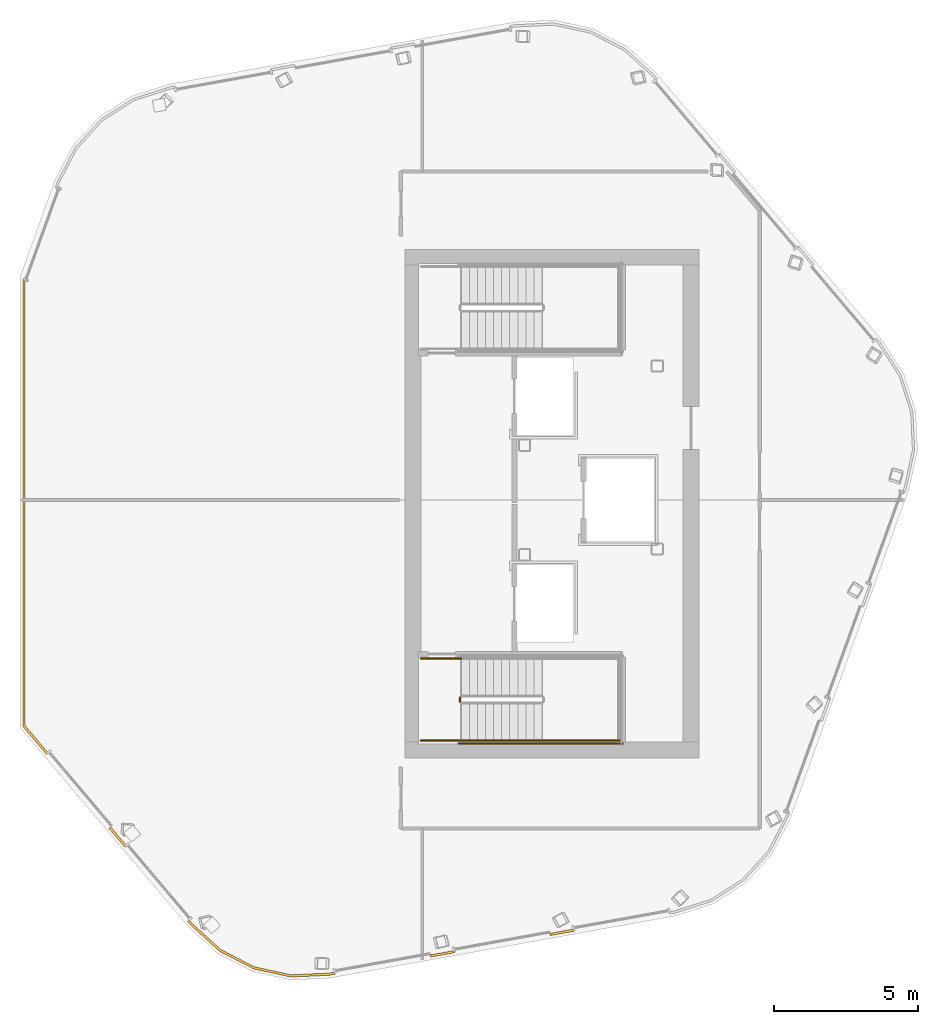
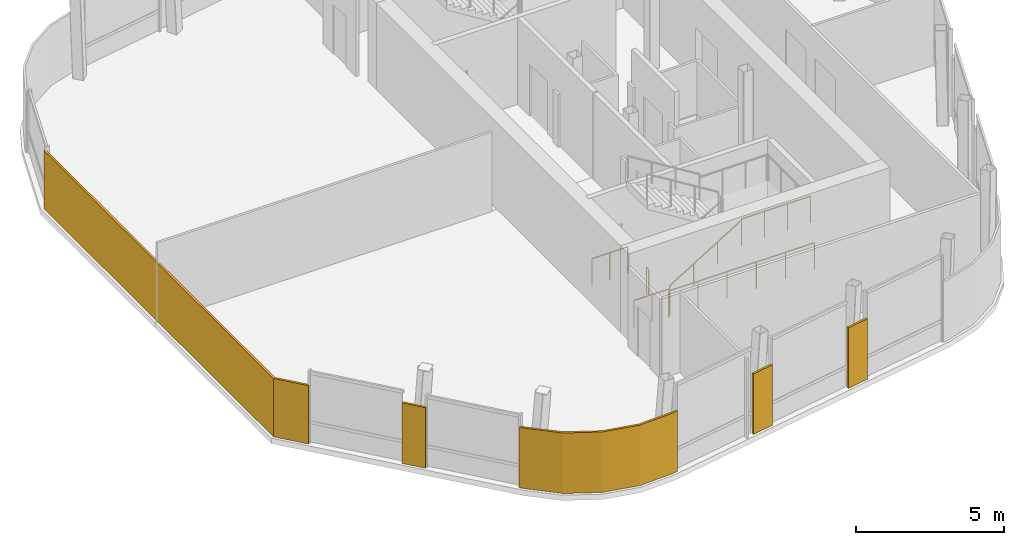
# One storey, part 6 of 8: 6 railings, 5 coverings.
"""IFC4 building model written with IfcOpenShell, lengths in metres."""

from ifc_helpers import new_model, si_unit, direction, frame, origin, origin_2d, place, context, subcontext, project, spatial, polyline, circle, outline, extrude, material, layer, layer_set, type_object, element, save


model = new_model("IFC4")

# Units and contexts
model_context = context("Model", 3, precision=1e-05, world=origin(), true_north=direction((0.0, 1.0)))
body_context = subcontext(model_context, "Body", "Model", "MODEL_VIEW")
ifc_project = project(units=[si_unit("LENGTHUNIT", "METRE"), si_unit("AREAUNIT", "SQUARE_METRE"), si_unit("VOLUMEUNIT", "CUBIC_METRE"), si_unit("PLANEANGLEUNIT", "RADIAN"), si_unit("MASSUNIT", "GRAM", prefix="KILO")], contexts=[model_context])

# Site, building, storey
site_placement = place(None, origin())
site = spatial("IfcSite", under=ifc_project, at=site_placement, CompositionType="ELEMENT")
building_placement = place(site_placement, origin())
building = spatial("IfcBuilding", under=site, at=building_placement, Name="Valkerne Bourse Tower", CompositionType="ELEMENT")
storey_placement = place(building_placement, frame((0.0, 0.0, 326.800048828125)))
storey = spatial("IfcBuildingStorey", under=building, at=storey_placement, Name="L83", CompositionType="ELEMENT", Elevation=326.800048828125)

# Coverings
ifc_material_1 = material(Name="Bronze Anodised Aluminium AA 6063-T6", Category="aluminium")
ifc_layer = layer(ifc_material_1, 0.06005859375)
ifc_layer_set = layer_set([ifc_layer], Name="Bronze Anodised Aluminium AA 6063-T6")
covering_type = type_object("IfcCoveringType", Name="COV-CRN-ALUM", PredefinedType="CLADDING", material=ifc_layer_set)
covering_1_placement = place(storey_placement, origin())
element("IfcCovering", 1, at=covering_1_placement, inside=storey, type_object=covering_type, Name="L83 Wind-Shaped Corner Aluminium Cladding 11", PredefinedType="CLADDING", context=body_context, shape_type="SweptSolid", body=[
    extrude(outline(polyline([(51.23291015625, 11.884521484375), (51.218505859375, 11.963134765625), (52.04541015625, 12.11181640625), (52.0595703125, 12.033203125), (51.23291015625, 11.884521484375)])), origin(), (0.0, 0.0, 1.0), 2.5),
])
covering_2_placement = place(storey_placement, origin())
element("IfcCovering", 2, at=covering_2_placement, inside=storey, type_object=covering_type, Name="L83 Wind-Shaped Corner Aluminium Cladding 12", PredefinedType="CLADDING", context=body_context, shape_type="SweptSolid", body=[
    extrude(outline(polyline([(47.08740234375, 11.138427734375), (47.0732421875, 11.21728515625), (47.89990234375, 11.365966796875), (47.914306640625, 11.287353515625), (47.08740234375, 11.138427734375)])), origin(), (0.0, 0.0, 1.0), 2.5),
])
covering_3_placement = place(storey_placement, origin())
element("IfcCovering", 3, at=covering_3_placement, inside=storey, type_object=covering_type, Name="L83 Wind-Shaped Corner Aluminium Cladding 13", PredefinedType="CLADDING", context=body_context, shape_type="SweptSolid", body=[
    extrude(outline(polyline([(43.578369140625, 10.507080078125), (42.2421875, 10.444091796875), (40.941650390625, 10.727783203125), (39.7587890625, 11.33837890625), (38.769287109375, 12.23876953125), (38.644775390625, 12.38623046875), (38.705810546875, 12.437744140625), (38.8271484375, 12.294189453125), (39.8046875, 11.404541015625), (40.968994140625, 10.8037109375), (42.2490234375, 10.524658203125), (43.5693359375, 10.5869140625), (43.75439453125, 10.6201171875), (43.768798828125, 10.54150390625), (43.578369140625, 10.507080078125)])), origin(), (0.0, 0.0, 1.0), 2.5),
])
covering_4_placement = place(storey_placement, origin())
element("IfcCovering", 4, at=covering_4_placement, inside=storey, type_object=covering_type, Name="L83 Wind-Shaped Corner Aluminium Cladding 14", PredefinedType="CLADDING", context=body_context, shape_type="SweptSolid", body=[
    extrude(outline(polyline([(35.926025390625, 15.603271484375), (35.987060546875, 15.65478515625), (36.529296875, 15.013427734375), (36.468017578125, 14.9619140625), (35.926025390625, 15.603271484375)])), origin(), (0.0, 0.0, 1.0), 2.5),
])
covering_5_placement = place(storey_placement, origin())
element("IfcCovering", 5, at=covering_5_placement, inside=storey, type_object=covering_type, Name="L83 Wind-Shaped Corner Aluminium Cladding 15", PredefinedType="CLADDING", context=body_context, shape_type="SweptSolid", body=[
    extrude(outline(polyline([(32.93701171875, 19.14013671875), (32.93701171875, 34.67578125), (33.01708984375, 34.64697265625), (33.01708984375, 19.16943359375), (33.810546875, 18.23046875), (33.74951171875, 18.178955078125), (32.93701171875, 19.14013671875)])), origin(), (0.0, 0.0, 1.0), 2.412353515625),
])

# Railings
ifc_material_2 = material(Name="Galvanised Painted Steel", Category="steel")
railing_type_1 = type_object("IfcRailingType", Name="RLG-ST-GUARD-1120", PredefinedType="GUARDRAIL", material=ifc_material_2)
railing_1_placement = place(storey_placement, frame((50.949951171875, 18.64990234375, 1.89990234375)))
element("IfcRailing", 6, at=railing_1_placement, inside=storey, type_object=railing_type_1, Name="L83 ST-1 stair guard 3", PredefinedType="GUARDRAIL", context=body_context, shape_type="SweptSolid", body=[
    extrude(circle(Radius=0.02392578125, at=origin_2d()), frame((0.0, 0.0, 1.09619140625), z_axis=(1.0, 0.0, 0.0), x_axis=(0.0, 1.0, 0.0)), (0.0, 0.0, 1.0), 2.699951171875),
    extrude(circle(Radius=0.02099609375, at=origin_2d()), origin(), (0.0, 0.0, 1.0), 1.072021484375),
    extrude(circle(Radius=0.02099609375, at=origin_2d()), frame((0.89990234375, 0.0, 0.0)), (0.0, 0.0, 1.0), 1.072021484375),
    extrude(circle(Radius=0.02099609375, at=origin_2d()), frame((1.800048828125, 0.0, 0.0)), (0.0, 0.0, 1.0), 1.072021484375),
    extrude(circle(Radius=0.02099609375, at=origin_2d()), frame((2.699951171875, 0.0, 0.0)), (0.0, 0.0, 1.0), 1.072021484375),
])
railing_2_placement = place(storey_placement, frame((48.10009765625, 20.0, 0.0)))
element("IfcRailing", 7, at=railing_2_placement, inside=storey, type_object=railing_type_1, Name="L83 ST-1 stair guard 7", PredefinedType="GUARDRAIL", context=body_context, shape_type="SweptSolid", body=[
    extrude(circle(Radius=0.02392578125, at=origin_2d()), frame((0.0, 0.0, 1.09619140625), z_axis=(0.0, 1.0, 0.0), x_axis=(-1.0, 0.0, 0.0)), (0.0, 0.0, 1.0), 0.14990234375),
    extrude(circle(Radius=0.02099609375, at=origin_2d()), origin(), (0.0, 0.0, 1.0), 1.072021484375),
    extrude(circle(Radius=0.02099609375, at=origin_2d()), frame((0.0, 0.14990234375, 0.0)), (0.0, 0.0, 1.0), 1.072021484375),
])
for number, where, name in (
    (8, (46.75, 18.64990234375, 0.0), "L83 ST-1 stair guard 8"),
    (9, (46.75, 21.5, 0.0), "L83 ST-1 stair guard 9"),
):
    element("IfcRailing", number, at=place(storey_placement, frame(where)), inside=storey, type_object=railing_type_1, Name=name, PredefinedType="GUARDRAIL", context=body_context, shape_type="SweptSolid", body=[
        extrude(circle(Radius=0.02392578125, at=origin_2d()), frame((0.0, 0.0, 1.09619140625), z_axis=(1.0, 0.0, 0.0), x_axis=(0.0, 1.0, 0.0)), (0.0, 0.0, 1.0), 1.39990234375),
        extrude(circle(Radius=0.02099609375, at=origin_2d()), origin(), (0.0, 0.0, 1.0), 1.072021484375),
        extrude(circle(Radius=0.02099609375, at=origin_2d()), frame((0.699951171875, 0.0, 0.0)), (0.0, 0.0, 1.0), 1.072021484375),
        extrude(circle(Radius=0.02099609375, at=origin_2d()), frame((1.39990234375, 0.0, 0.0)), (0.0, 0.0, 1.0), 1.072021484375),
    ])
railing_3_placement = place(storey_placement, frame((48.050048828125, 18.550048828125, 0.0)))
element("IfcRailing", 10, at=railing_3_placement, inside=storey, type_object=railing_type_1, Name="L83 ST-1 stair guard 10", PredefinedType="GUARDRAIL", context=body_context, shape_type="SweptSolid", body=[
    extrude(circle(Radius=0.02392578125, at=origin_2d()), frame((0.0, 0.0, 1.09619140625), z_axis=(1.0, 0.0, 0.0), x_axis=(0.0, 1.0, 0.0)), (0.0, 0.0, 1.0), 5.699951171875),
    extrude(circle(Radius=0.02099609375, at=origin_2d()), origin(), (0.0, 0.0, 1.0), 1.072021484375),
    extrude(circle(Radius=0.02099609375, at=origin_2d()), frame((1.139892578125, 0.0, 0.0)), (0.0, 0.0, 1.0), 1.072021484375),
    extrude(circle(Radius=0.02099609375, at=origin_2d()), frame((2.280029296875, 0.0, 0.0)), (0.0, 0.0, 1.0), 1.072021484375),
    extrude(circle(Radius=0.02099609375, at=origin_2d()), frame((3.419921875, 0.0, 0.0)), (0.0, 0.0, 1.0), 1.072021484375),
    extrude(circle(Radius=0.02099609375, at=origin_2d()), frame((4.56005859375, 0.0, 0.0)), (0.0, 0.0, 1.0), 1.072021484375),
    extrude(circle(Radius=0.02099609375, at=origin_2d()), frame((5.699951171875, 0.0, 0.0)), (0.0, 0.0, 1.0), 1.072021484375),
])
ifc_material_3 = material(Name="Stainless Steel AISI 316", Category="steel")
railing_type_2 = type_object("IfcRailingType", Name="RLG-ST-HANDRAIL-900", PredefinedType="HANDRAIL", material=ifc_material_3)
railing_4_placement = place(storey_placement, frame((48.14990234375, 18.64990234375, 0.345458984375)))
element("IfcRailing", 11, at=railing_4_placement, inside=storey, type_object=railing_type_2, Name="L83 ST-1 stair handrail 1", PredefinedType="HANDRAIL", context=body_context, shape_type="SweptSolid", body=[
    extrude(circle(Radius=0.02392578125, at=origin_2d()), frame((0.0, 0.0, 0.8759765625), z_axis=(0.851089632645, 0.0, 0.525020415988), x_axis=(0.0, 1.0, 0.0)), (0.0, 0.0, 1.0), 3.2900390625),
    extrude(circle(Radius=0.02099609375, at=origin_2d()), origin(), (0.0, 0.0, 1.0), 0.851806640625),
    extrude(circle(Radius=0.02099609375, at=origin_2d()), frame((0.933349609375, 0.0, 0.57568359375)), (0.0, 0.0, 1.0), 0.851806640625),
    extrude(circle(Radius=0.02099609375, at=origin_2d()), frame((1.86669921875, 0.0, 1.151611328125)), (0.0, 0.0, 1.0), 0.851806640625),
    extrude(circle(Radius=0.02099609375, at=origin_2d()), frame((2.800048828125, 0.0, 1.727294921875)), (0.0, 0.0, 1.0), 0.851806640625),
])

save(model, "model.ifc")
